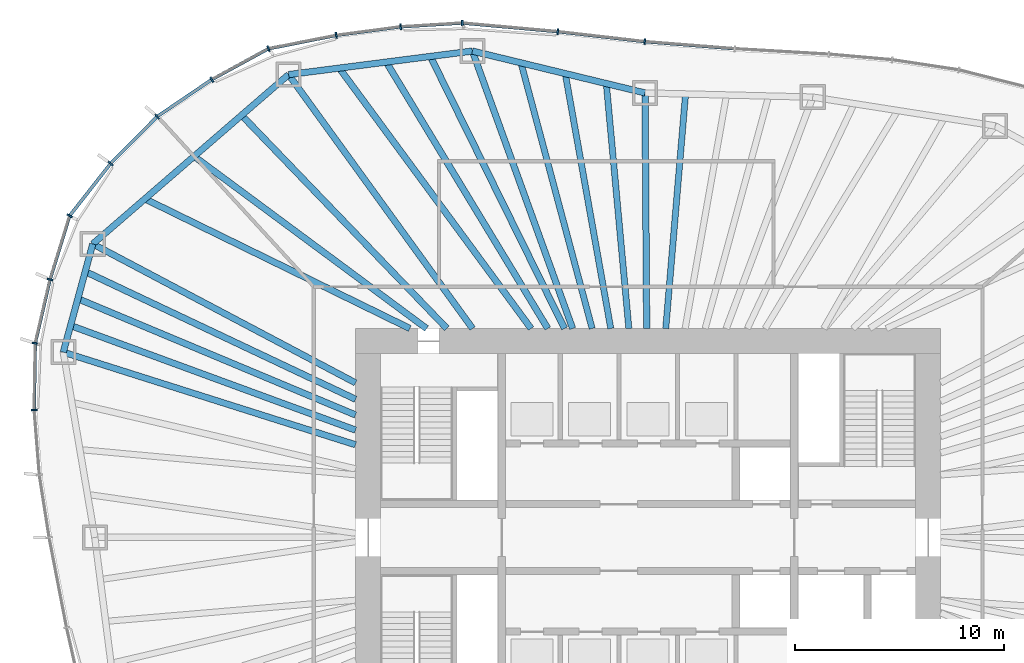
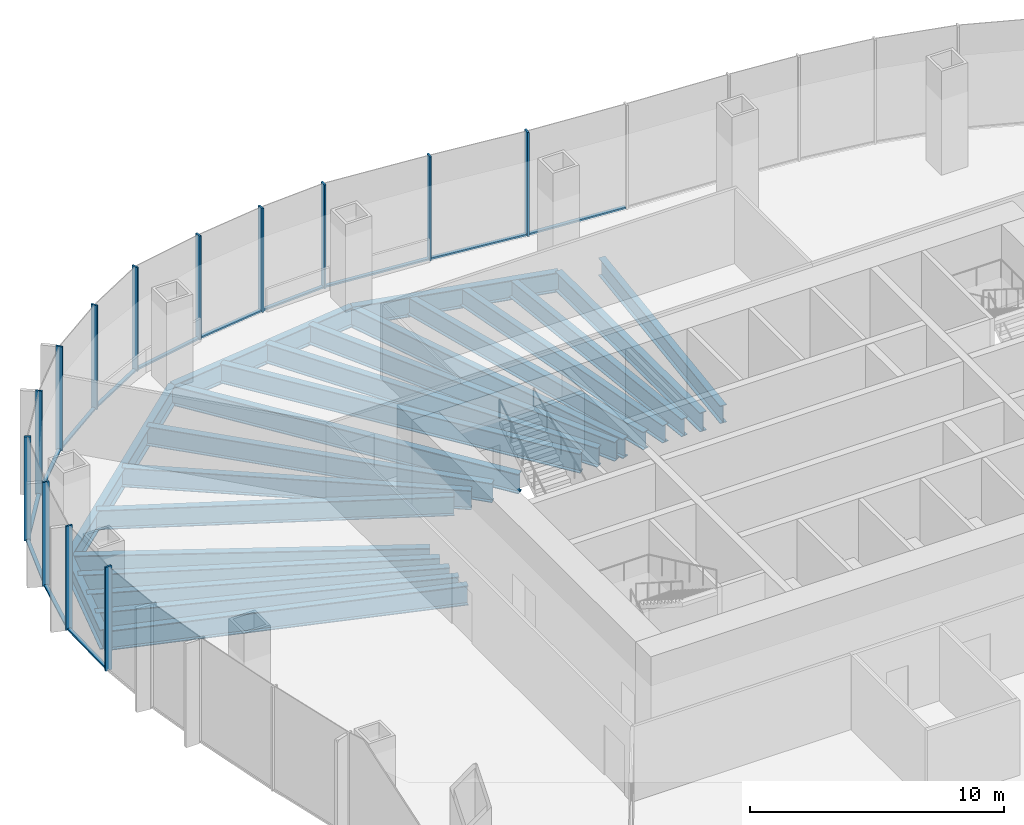
# One storey, part 5 of 18: 26 members, 22 beams, 6 elements without a shape of their own.
"""IFC4 building model written with IfcOpenShell, lengths in metres."""

from ifc_helpers import new_model, si_unit, direction, frame, origin, origin_2d, place, context, subcontext, project, spatial, rectangle, i_section, extrude, material, material_profile, profile_set, type_object, element, aggregate, save


model = new_model("IFC4")

# Units and contexts
model_context = context("Model", 3, precision=1e-05, world=origin(), true_north=direction((0.0, 1.0)))
body_context = subcontext(model_context, "Body", "Model", "MODEL_VIEW")
ifc_project = project(units=[si_unit("LENGTHUNIT", "METRE"), si_unit("AREAUNIT", "SQUARE_METRE"), si_unit("VOLUMEUNIT", "CUBIC_METRE"), si_unit("PLANEANGLEUNIT", "RADIAN"), si_unit("MASSUNIT", "GRAM", prefix="KILO")], contexts=[model_context])

# Site, building, storey
site_placement = place(None, origin())
site = spatial("IfcSite", under=ifc_project, at=site_placement, CompositionType="ELEMENT")
building_placement = place(site_placement, origin())
building = spatial("IfcBuilding", under=site, at=building_placement, Name="Ghaith Harvest Tower", CompositionType="ELEMENT")
storey_placement = place(building_placement, frame((0.0, 0.0, 184.800048828125)))
storey = spatial("IfcBuildingStorey", under=building, at=storey_placement, Name="L40", CompositionType="ELEMENT", Elevation=184.800048828125)

# Curtain wall, members
ifc_material_1 = material(Name="Black anodised aluminium and fritted glass", Category="aluminium")
curtain_wall_type = type_object("IfcCurtainWallType", Name="CW-S CURTAIN WALL", PredefinedType="NOTDEFINED", material=ifc_material_1)
curtain_wall_1_placement = place(storey_placement, origin())
curtain_wall_1 = element("IfcCurtainWall", 1, at=curtain_wall_1_placement, inside=storey, type_object=curtain_wall_type, Name="Curtain wall CW-S bay 06 L40", PredefinedType="NOTDEFINED")
ifc_material_2 = material(Name="Aluminium, black anodised", Category="aluminium")
ifc_material_profile_1 = material_profile(ifc_material_2, rectangle(XDim=0.080078125, YDim=0.280029296875, at=origin_2d()), Name="CW-S MULLION 80x280")
ifc_profile_set_1 = profile_set([ifc_material_profile_1], Name="Aluminium, black anodised")
member_type_1 = type_object("IfcMemberType", Name="CW-S MULLION 80x280", PredefinedType="MULLION", material=ifc_profile_set_1)
member_1_placement = place(storey_placement, frame((-0.162353515625, 23.729736328125, 0.0), z_axis=(0.0, 0.0, 1.0), x_axis=(-0.995388088953, 0.095929934691, 0.0)))
member_1 = element("IfcMember", 2, at=member_1_placement, type_object=member_type_1, Name="CW-S mullion 1 bay 06 L40", PredefinedType="MULLION", context=body_context, shape_type="SweptSolid", body=[
    extrude(rectangle(XDim=0.080078125, YDim=0.280029296875, at=origin_2d()), origin(), (0.0, 0.0, 1.0), 5.0),
])
member_2_placement = place(storey_placement, frame((-4.322998046875, 24.207275390625, 0.0), z_axis=(0.0, 0.0, 1.0), x_axis=(-0.994830371571, 0.101550636625, 0.0)))
member_2 = element("IfcMember", 3, at=member_2_placement, type_object=member_type_1, Name="CW-S mullion 2 bay 06 L40", PredefinedType="MULLION", context=body_context, shape_type="SweptSolid", body=[
    extrude(rectangle(XDim=0.080078125, YDim=0.280029296875, at=origin_2d()), origin(), (0.0, 0.0, 1.0), 5.0),
])

curtain_wall_2_placement = place(storey_placement, origin())
curtain_wall_2 = element("IfcCurtainWall", 4, at=curtain_wall_2_placement, inside=storey, type_object=curtain_wall_type, Name="Curtain wall CW-S bay 07 L40", PredefinedType="NOTDEFINED")
member_3_placement = place(storey_placement, frame((-8.892578125, 24.620849609375, 0.0), z_axis=(0.0, 0.0, 1.0), x_axis=(-0.999522209385, 0.030908784286, 0.0)))
member_3 = element("IfcMember", 5, at=member_3_placement, type_object=member_type_1, Name="CW-S mullion 1 bay 07 L40", PredefinedType="MULLION", context=body_context, shape_type="SweptSolid", body=[
    extrude(rectangle(XDim=0.080078125, YDim=0.280029296875, at=origin_2d()), origin(), (0.0, 0.0, 1.0), 5.0),
])
member_4_placement = place(storey_placement, frame((-11.841064453125, 24.439697265625, 0.0), z_axis=(0.0, 0.0, 1.0), x_axis=(-0.995237520168, -0.097479630949, 0.0)))
member_4 = element("IfcMember", 6, at=member_4_placement, type_object=member_type_1, Name="CW-S mullion 2 bay 07 L40", PredefinedType="MULLION", context=body_context, shape_type="SweptSolid", body=[
    extrude(rectangle(XDim=0.080078125, YDim=0.280029296875, at=origin_2d()), origin(), (0.0, 0.0, 1.0), 5.0),
])
member_5_placement = place(storey_placement, frame((-14.923828125, 24.030029296875, 0.0), z_axis=(0.0, 0.0, 1.0), x_axis=(-0.986494514812, -0.163794298578, 0.0)))
member_5 = element("IfcMember", 7, at=member_5_placement, type_object=member_type_1, Name="CW-S mullion 3 bay 07 L40", PredefinedType="MULLION", context=body_context, shape_type="SweptSolid", body=[
    extrude(rectangle(XDim=0.080078125, YDim=0.280029296875, at=origin_2d()), origin(), (0.0, 0.0, 1.0), 5.0),
])

curtain_wall_3_placement = place(storey_placement, origin())
curtain_wall_3 = element("IfcCurtainWall", 8, at=curtain_wall_3_placement, inside=storey, type_object=curtain_wall_type, Name="Curtain wall CW-S bay 08 L40", PredefinedType="NOTDEFINED")
member_6_placement = place(storey_placement, frame((-18.165283203125, 23.3896484375, 0.0), z_axis=(0.0, 0.0, 1.0), x_axis=(-0.942103541202, -0.335322110298, 0.0)))
member_6 = element("IfcMember", 9, at=member_6_placement, type_object=member_type_1, Name="CW-S mullion 1 bay 08 L40", PredefinedType="MULLION", context=body_context, shape_type="SweptSolid", body=[
    extrude(rectangle(XDim=0.080078125, YDim=0.280029296875, at=origin_2d()), origin(), (0.0, 0.0, 1.0), 5.0),
])
member_7_placement = place(storey_placement, frame((-20.87548828125, 21.91162109375, 0.0), z_axis=(0.0, 0.0, 1.0), x_axis=(-0.853515864435, -0.521066856707, 0.0)))
member_7 = element("IfcMember", 10, at=member_7_placement, type_object=member_type_1, Name="CW-S mullion 2 bay 08 L40", PredefinedType="MULLION", context=body_context, shape_type="SweptSolid", body=[
    extrude(rectangle(XDim=0.080078125, YDim=0.280029296875, at=origin_2d()), origin(), (0.0, 0.0, 1.0), 5.0),
])
member_8_placement = place(storey_placement, frame((-23.489501953125, 20.13916015625, 0.0), z_axis=(0.0, 0.0, 1.0), x_axis=(-0.769682554376, -0.638426789451, 0.0)))
member_8 = element("IfcMember", 11, at=member_8_placement, type_object=member_type_1, Name="CW-S mullion 3 bay 08 L40", PredefinedType="MULLION", context=body_context, shape_type="SweptSolid", body=[
    extrude(rectangle(XDim=0.080078125, YDim=0.280029296875, at=origin_2d()), origin(), (0.0, 0.0, 1.0), 5.0),
])

curtain_wall_4_placement = place(storey_placement, origin())
curtain_wall_4 = element("IfcCurtainWall", 12, at=curtain_wall_4_placement, inside=storey, type_object=curtain_wall_type, Name="Curtain wall CW-S bay 09 L40", PredefinedType="NOTDEFINED")
member_9_placement = place(storey_placement, frame((-25.718017578125, 17.894775390625, 0.0), z_axis=(0.0, 0.0, 1.0), x_axis=(-0.661903840688, -0.749588757708, 0.0)))
member_9 = element("IfcMember", 13, at=member_9_placement, type_object=member_type_1, Name="CW-S mullion 1 bay 09 L40", PredefinedType="MULLION", context=body_context, shape_type="SweptSolid", body=[
    extrude(rectangle(XDim=0.080078125, YDim=0.280029296875, at=origin_2d()), origin(), (0.0, 0.0, 1.0), 5.0),
])
member_10_placement = place(storey_placement, frame((-27.67919921875, 15.39453125, 0.0), z_axis=(0.0, 0.0, 1.0), x_axis=(-0.462889784298, -0.886415843491, 0.0)))
member_10 = element("IfcMember", 14, at=member_10_placement, type_object=member_type_1, Name="CW-S mullion 2 bay 09 L40", PredefinedType="MULLION", context=body_context, shape_type="SweptSolid", body=[
    extrude(rectangle(XDim=0.080078125, YDim=0.280029296875, at=origin_2d()), origin(), (0.0, 0.0, 1.0), 5.0),
])
member_11_placement = place(storey_placement, frame((-28.61669921875, 12.343994140625, 0.0), z_axis=(0.0, 0.0, 1.0), x_axis=(-0.260727312416, -0.965412486226, 0.0)))
member_11 = element("IfcMember", 15, at=member_11_placement, type_object=member_type_1, Name="CW-S mullion 3 bay 09 L40", PredefinedType="MULLION", context=body_context, shape_type="SweptSolid", body=[
    extrude(rectangle(XDim=0.080078125, YDim=0.280029296875, at=origin_2d()), origin(), (0.0, 0.0, 1.0), 5.0),
])

curtain_wall_5_placement = place(storey_placement, origin())
curtain_wall_5 = element("IfcCurtainWall", 16, at=curtain_wall_5_placement, inside=storey, type_object=curtain_wall_type, Name="Curtain wall CW-S bay 10 L40", PredefinedType="NOTDEFINED")
member_12_placement = place(storey_placement, frame((-29.32666015625, 9.294189453125, 0.0), z_axis=(0.0, 0.0, 1.0), x_axis=(-0.120932140225, -0.99266077663, 0.0)))
member_12 = element("IfcMember", 17, at=member_12_placement, type_object=member_type_1, Name="CW-S mullion 1 bay 10 L40", PredefinedType="MULLION", context=body_context, shape_type="SweptSolid", body=[
    extrude(rectangle(XDim=0.080078125, YDim=0.280029296875, at=origin_2d()), origin(), (0.0, 0.0, 1.0), 5.0),
])
member_13_placement = place(storey_placement, frame((-29.3779296875, 6.09619140625, 0.0), z_axis=(0.0, 0.0, 1.0), x_axis=(0.031027769448, -0.999518522851, 0.0)))
member_13 = element("IfcMember", 18, at=member_13_placement, type_object=member_type_1, Name="CW-S mullion 2 bay 10 L40", PredefinedType="MULLION", context=body_context, shape_type="SweptSolid", body=[
    extrude(rectangle(XDim=0.080078125, YDim=0.280029296875, at=origin_2d()), origin(), (0.0, 0.0, 1.0), 5.0),
])

# Curtain wall, member
curtain_wall_6_placement = place(storey_placement, origin())
curtain_wall_6 = element("IfcCurtainWall", 19, at=curtain_wall_6_placement, inside=storey, type_object=curtain_wall_type, Name="Curtain wall CW-S bay 05 L40", PredefinedType="NOTDEFINED")
ifc_material_3 = material(Name="Aluminium, black anodised", Category="aluminium")
ifc_material_profile_2 = material_profile(ifc_material_3, rectangle(XDim=0.159912109375, YDim=0.080078125, at=origin_2d()), Name="CW-S TRANSOM 160x80")
ifc_profile_set_2 = profile_set([ifc_material_profile_2], Name="Aluminium, black anodised")
member_type_2 = type_object("IfcMemberType", Name="CW-S TRANSOM 160x80", PredefinedType="USERDEFINED", material=ifc_profile_set_2)
member_14_placement = place(storey_placement, frame((4.106689453125, 23.39404296875, 0.0400390625), z_axis=(-0.996923406046, 0.078381901463, 0.0), x_axis=(-0.078381901463, -0.996923406046, 0.0)))
member_14 = element("IfcMember", 20, at=member_14_placement, type_object=member_type_2, Name="CW-S transom 2 bay 05 L40", ObjectType="TRANSOM", PredefinedType="USERDEFINED", context=body_context, shape_type="SweptSolid", body=[
    extrude(rectangle(XDim=0.159912109375, YDim=0.080078125, at=origin_2d()), origin(), (0.0, 0.0, 1.0), 4.2421875),
])
aggregate(curtain_wall_6, [member_14])

# Member
member_15_placement = place(storey_placement, frame((-0.2021484375, 23.734130859375, 0.0400390625), z_axis=(-0.993474883942, 0.114051106861, 0.0), x_axis=(-0.114051106861, -0.993474883942, 0.0)))
member_15 = element("IfcMember", 21, at=member_15_placement, type_object=member_type_2, Name="CW-S transom 1 bay 06 L40", ObjectType="TRANSOM", PredefinedType="USERDEFINED", context=body_context, shape_type="SweptSolid", body=[
    extrude(rectangle(XDim=0.159912109375, YDim=0.080078125, at=origin_2d()), origin(), (0.0, 0.0, 1.0), 4.10791015625),
])

member_16_placement = place(storey_placement, frame((-4.36279296875, 24.210693359375, 0.0400390625), z_axis=(-0.995926431676, 0.090169521954, 0.0), x_axis=(-0.090169521954, -0.995926431676, 0.0)))
member_16 = element("IfcMember", 22, at=member_16_placement, type_object=member_type_2, Name="CW-S transom 2 bay 06 L40", ObjectType="TRANSOM", PredefinedType="USERDEFINED", context=body_context, shape_type="SweptSolid", body=[
    extrude(rectangle(XDim=0.159912109375, YDim=0.080078125, at=origin_2d()), origin(), (0.0, 0.0, 1.0), 4.508056640625),
])

aggregate(curtain_wall_1, [member_1, member_15, member_2, member_16])

member_17_placement = place(storey_placement, frame((-8.932373046875, 24.618408203125, 0.0400390625), z_axis=(-0.998117793577, -0.061325933705, 0.0), x_axis=(0.061325933705, -0.998117793577, 0.0)))
member_17 = element("IfcMember", 23, at=member_17_placement, type_object=member_type_2, Name="CW-S transom 1 bay 07 L40", ObjectType="TRANSOM", PredefinedType="USERDEFINED", context=body_context, shape_type="SweptSolid", body=[
    extrude(rectangle(XDim=0.159912109375, YDim=0.080078125, at=origin_2d()), origin(), (0.0, 0.0, 1.0), 2.874267578125),
])

member_18_placement = place(storey_placement, frame((-11.880859375, 24.434326171875, 0.0400390625), z_axis=(-0.991293929443, -0.131667556553, 0.0), x_axis=(0.131667556553, -0.991293929443, 0.0)))
member_18 = element("IfcMember", 24, at=member_18_placement, type_object=member_type_2, Name="CW-S transom 2 bay 07 L40", ObjectType="TRANSOM", PredefinedType="USERDEFINED", context=body_context, shape_type="SweptSolid", body=[
    extrude(rectangle(XDim=0.159912109375, YDim=0.080078125, at=origin_2d()), origin(), (0.0, 0.0, 1.0), 3.02978515625),
])

member_19_placement = place(storey_placement, frame((-14.963134765625, 24.022216796875, 0.0400390625), z_axis=(-0.98104391994, -0.19378551842, 0.0), x_axis=(0.19378551842, -0.98104391994, 0.0)))
member_19 = element("IfcMember", 25, at=member_19_placement, type_object=member_type_2, Name="CW-S transom 3 bay 07 L40", ObjectType="TRANSOM", PredefinedType="USERDEFINED", context=body_context, shape_type="SweptSolid", body=[
    extrude(rectangle(XDim=0.159912109375, YDim=0.080078125, at=origin_2d()), origin(), (0.0, 0.0, 1.0), 3.223876953125),
])

aggregate(curtain_wall_2, [member_3, member_17, member_4, member_18, member_5, member_19])

member_20_placement = place(storey_placement, frame((-18.200439453125, 23.37060546875, 0.0400390625), z_axis=(-0.877929702377, -0.478789554695, 0.0), x_axis=(0.478789554695, -0.877929702377, 0.0)))
member_20 = element("IfcMember", 26, at=member_20_placement, type_object=member_type_2, Name="CW-S transom 1 bay 08 L40", ObjectType="TRANSOM", PredefinedType="USERDEFINED", context=body_context, shape_type="SweptSolid", body=[
    extrude(rectangle(XDim=0.159912109375, YDim=0.080078125, at=origin_2d()), origin(), (0.0, 0.0, 1.0), 3.0068359375),
])

member_21_placement = place(storey_placement, frame((-20.908447265625, 21.88916015625, 0.0400390625), z_axis=(-0.827681025079, -0.561198824593, 0.0), x_axis=(0.561198824593, -0.827681025079, 0.0)))
member_21 = element("IfcMember", 27, at=member_21_placement, type_object=member_type_2, Name="CW-S transom 2 bay 08 L40", ObjectType="TRANSOM", PredefinedType="USERDEFINED", context=body_context, shape_type="SweptSolid", body=[
    extrude(rectangle(XDim=0.159912109375, YDim=0.080078125, at=origin_2d()), origin(), (0.0, 0.0, 1.0), 3.078369140625),
])

member_22_placement = place(storey_placement, frame((-23.517578125, 20.11083984375, 0.0400390625), z_axis=(-0.704647577514, -0.709557461735, 0.0), x_axis=(0.709557461735, -0.704647577514, 0.0)))
member_22 = element("IfcMember", 28, at=member_22_placement, type_object=member_type_2, Name="CW-S transom 3 bay 08 L40", ObjectType="TRANSOM", PredefinedType="USERDEFINED", context=body_context, shape_type="SweptSolid", body=[
    extrude(rectangle(XDim=0.159912109375, YDim=0.080078125, at=origin_2d()), origin(), (0.0, 0.0, 1.0), 3.0830078125),
])

aggregate(curtain_wall_3, [member_6, member_20, member_7, member_21, member_8, member_22])

member_23_placement = place(storey_placement, frame((-25.74267578125, 17.86328125, 0.0400390625), z_axis=(-0.617198298797, -0.786807638474, 0.0), x_axis=(0.786807638474, -0.617198298797, 0.0)))
member_23 = element("IfcMember", 29, at=member_23_placement, type_object=member_type_2, Name="CW-S transom 1 bay 09 L40", ObjectType="TRANSOM", PredefinedType="USERDEFINED", context=body_context, shape_type="SweptSolid", body=[
    extrude(rectangle(XDim=0.159912109375, YDim=0.080078125, at=origin_2d()), origin(), (0.0, 0.0, 1.0), 3.09765625),
])

member_24_placement = place(storey_placement, frame((-27.69091796875, 15.356201171875, 0.0400390625), z_axis=(-0.293777058804, -0.955873966441, 0.0), x_axis=(0.955873966441, -0.293777058804, 0.0)))
member_24 = element("IfcMember", 30, at=member_24_placement, type_object=member_type_2, Name="CW-S transom 2 bay 09 L40", ObjectType="TRANSOM", PredefinedType="USERDEFINED", context=body_context, shape_type="SweptSolid", body=[
    extrude(rectangle(XDim=0.159912109375, YDim=0.080078125, at=origin_2d()), origin(), (0.0, 0.0, 1.0), 3.111328125),
])

member_25_placement = place(storey_placement, frame((-28.6259765625, 12.304931640625, 0.0400390625), z_axis=(-0.226670598607, -0.973971477882, 0.0), x_axis=(0.973971477882, -0.226670598607, 0.0)))
member_25 = element("IfcMember", 31, at=member_25_placement, type_object=member_type_2, Name="CW-S transom 3 bay 09 L40", ObjectType="TRANSOM", PredefinedType="USERDEFINED", context=body_context, shape_type="SweptSolid", body=[
    extrude(rectangle(XDim=0.159912109375, YDim=0.080078125, at=origin_2d()), origin(), (0.0, 0.0, 1.0), 3.05126953125),
])

aggregate(curtain_wall_4, [member_9, member_23, member_10, member_24, member_11, member_25])

member_26_placement = place(storey_placement, frame((-29.327392578125, 9.254150390625, 0.0400390625), z_axis=(-0.015971652868, -0.999872445017, 0.0), x_axis=(0.999872445017, -0.015971652868, 0.0)))
member_26 = element("IfcMember", 32, at=member_26_placement, type_object=member_type_2, Name="CW-S transom 1 bay 10 L40", ObjectType="TRANSOM", PredefinedType="USERDEFINED", context=body_context, shape_type="SweptSolid", body=[
    extrude(rectangle(XDim=0.159912109375, YDim=0.080078125, at=origin_2d()), origin(), (0.0, 0.0, 1.0), 3.118408203125),
])

aggregate(curtain_wall_5, [member_12, member_26, member_13])

# Beams
ifc_material_4 = material(Name="Steel ASTM A992 Grade 50", Category="steel")
ifc_material_profile_3 = material_profile(ifc_material_4, i_section(OverallWidth=0.306884765625, OverallDepth=0.94189453125, WebThickness=0.022216796875, FlangeThickness=0.039794921875, at=origin_2d()), Name="W920X345")
ifc_profile_set_3 = profile_set([ifc_material_profile_3], Name="Steel ASTM A992 Grade 50")
beam_type_1 = type_object("IfcBeamType", Name="E920-345 W920X345", PredefinedType="SPANDREL", material=ifc_profile_set_3)
beam_1_placement = place(storey_placement, frame((-0.14599609375, 21.27099609375, -0.696044921875), z_axis=(-0.971790293477, 0.235846614358, 0.0), x_axis=(-0.235846614358, -0.971790293477, 0.0)))
element("IfcBeam", 33, at=beam_1_placement, inside=storey, type_object=beam_type_1, Name="Edge beam E06 L40", PredefinedType="SPANDREL", context=body_context, shape_type="SweptSolid", body=[
    extrude(i_section(OverallWidth=0.306884765625, OverallDepth=0.94189453125, WebThickness=0.022216796875, FlangeThickness=0.039794921875, at=origin_2d()), origin(), (0.0, 0.0, 1.0), 8.500732421875),
])
beam_2_placement = place(storey_placement, frame((-8.406982421875, 23.27587890625, -0.696044921875), z_axis=(-0.991904090065, -0.126989275577, 0.0), x_axis=(0.126989275577, -0.991904090065, 0.0)))
element("IfcBeam", 34, at=beam_2_placement, inside=storey, type_object=beam_type_1, Name="Edge beam E07 L40", PredefinedType="SPANDREL", context=body_context, shape_type="SweptSolid", body=[
    extrude(i_section(OverallWidth=0.306884765625, OverallDepth=0.94189453125, WebThickness=0.022216796875, FlangeThickness=0.039794921875, at=origin_2d()), origin(), (0.0, 0.0, 1.0), 8.86669921875),
])
beam_3_placement = place(storey_placement, frame((-17.201904296875, 22.14990234375, -0.696044921875), z_axis=(-0.756392158274, -0.654118416574, 0.0), x_axis=(0.654118416574, -0.756392158274, 0.0)))
element("IfcBeam", 35, at=beam_3_placement, inside=storey, type_object=beam_type_1, Name="Edge beam E08 L40", PredefinedType="SPANDREL", context=body_context, shape_type="SweptSolid", body=[
    extrude(i_section(OverallWidth=0.306884765625, OverallDepth=0.94189453125, WebThickness=0.022216796875, FlangeThickness=0.039794921875, at=origin_2d()), origin(), (0.0, 0.0, 1.0), 12.38916015625),
])
beam_4_placement = place(storey_placement, frame((-26.572998046875, 14.0458984375, -0.696044921875), z_axis=(-0.262724740433, -0.964870825947, 0.0), x_axis=(0.964870825947, -0.262724740433, 0.0)))
element("IfcBeam", 36, at=beam_4_placement, inside=storey, type_object=beam_type_1, Name="Edge beam E09 L40", PredefinedType="SPANDREL", context=body_context, shape_type="SweptSolid", body=[
    extrude(i_section(OverallWidth=0.306884765625, OverallDepth=0.94189453125, WebThickness=0.022216796875, FlangeThickness=0.039794921875, at=origin_2d()), origin(), (0.0, 0.0, 1.0), 5.366455078125),
])
ifc_material_5 = material(Name="Steel ASTM A992 Grade 50", Category="steel")
ifc_material_profile_4 = material_profile(ifc_material_5, i_section(OverallWidth=0.31005859375, OverallDepth=0.927001953125, WebThickness=0.019287109375, FlangeThickness=0.031982421875, at=origin_2d()), Name="W920X289")
ifc_profile_set_4 = profile_set([ifc_material_profile_4], Name="Steel ASTM A992 Grade 50")
beam_type_2 = type_object("IfcBeamType", Name="G920-289 W920X289", PredefinedType="BEAM", material=ifc_profile_set_4)
beam_5_placement = place(storey_placement, frame((-0.068359375, 10.0, -0.6884765625), z_axis=(-0.006888022705, 0.99997627729, 0.0), x_axis=(-0.99997627729, -0.006888022705, 0.0)))
element("IfcBeam", 37, at=beam_5_placement, inside=storey, type_object=beam_type_2, Name="Radial girder G06 L40", PredefinedType="BEAM", context=body_context, shape_type="SweptSolid", body=[
    extrude(i_section(OverallWidth=0.31005859375, OverallDepth=0.927001953125, WebThickness=0.019287109375, FlangeThickness=0.031982421875, at=origin_2d()), origin(), (0.0, 0.0, 1.0), 11.271240234375),
])
ifc_material_6 = material(Name="Steel ASTM A992 Grade 50", Category="steel")
ifc_material_profile_5 = material_profile(ifc_material_6, i_section(OverallWidth=0.306884765625, OverallDepth=0.94189453125, WebThickness=0.022216796875, FlangeThickness=0.039794921875, at=origin_2d()), Name="W920X345")
ifc_profile_set_5 = profile_set([ifc_material_profile_5], Name="Steel ASTM A992 Grade 50")
beam_type_3 = type_object("IfcBeamType", Name="G920-345 W920X345", PredefinedType="BEAM", material=ifc_profile_set_5)
beam_6_placement = place(storey_placement, frame((-3.61181640625, 10.0, -0.696044921875), z_axis=(-0.339713316819, 0.940529033245, 0.0), x_axis=(-0.940529033245, -0.339713316819, 0.0)))
element("IfcBeam", 38, at=beam_6_placement, inside=storey, type_object=beam_type_3, Name="Radial girder G07 L40", PredefinedType="BEAM", context=body_context, shape_type="SweptSolid", body=[
    extrude(i_section(OverallWidth=0.306884765625, OverallDepth=0.94189453125, WebThickness=0.022216796875, FlangeThickness=0.039794921875, at=origin_2d()), origin(), (0.0, 0.0, 1.0), 14.115234375),
])
beam_7_placement = place(storey_placement, frame((-8.39990234375, 10.0, -0.696044921875), z_axis=(-0.586675813287, 0.809821887889, 0.0), x_axis=(-0.809821887889, -0.586675813287, 0.0)))
element("IfcBeam", 39, at=beam_7_placement, inside=storey, type_object=beam_type_3, Name="Radial girder G08 L40", PredefinedType="BEAM", context=body_context, shape_type="SweptSolid", body=[
    extrude(i_section(OverallWidth=0.306884765625, OverallDepth=0.94189453125, WebThickness=0.022216796875, FlangeThickness=0.039794921875, at=origin_2d()), origin(), (0.0, 0.0, 1.0), 15.003173828125),
])
beam_8_placement = place(storey_placement, frame((-14.0, 7.39990234375, -0.696044921875), z_axis=(-0.88408713845, 0.467322085533, 0.0), x_axis=(-0.467322085533, -0.88408713845, 0.0)))
element("IfcBeam", 40, at=beam_8_placement, inside=storey, type_object=beam_type_3, Name="Radial girder G09 L40", PredefinedType="BEAM", context=body_context, shape_type="SweptSolid", body=[
    extrude(i_section(OverallWidth=0.306884765625, OverallDepth=0.94189453125, WebThickness=0.022216796875, FlangeThickness=0.039794921875, at=origin_2d()), origin(), (0.0, 0.0, 1.0), 14.221435546875),
])
beam_9_placement = place(storey_placement, frame((-14.0, 4.43701171875, -0.696044921875), z_axis=(-0.953283605796, 0.302076756671, 0.0), x_axis=(-0.302076756671, -0.953283605796, 0.0)))
element("IfcBeam", 41, at=beam_9_placement, inside=storey, type_object=beam_type_3, Name="Radial girder G10 L40", PredefinedType="BEAM", context=body_context, shape_type="SweptSolid", body=[
    extrude(i_section(OverallWidth=0.306884765625, OverallDepth=0.94189453125, WebThickness=0.022216796875, FlangeThickness=0.039794921875, at=origin_2d()), origin(), (0.0, 0.0, 1.0), 14.668212890625),
])
ifc_material_7 = material(Name="Steel ASTM A992 Grade 50", Category="steel")
ifc_material_profile_6 = material_profile(ifc_material_7, i_section(OverallWidth=0.2939453125, OverallDepth=0.85107421875, WebThickness=0.01611328125, FlangeThickness=0.02685546875, at=origin_2d()), Name="W840X226")
ifc_profile_set_6 = profile_set([ifc_material_profile_6], Name="Steel ASTM A992 Grade 50")
beam_type_4 = type_object("IfcBeamType", Name="J840-226 W840X226", PredefinedType="JOIST", material=ifc_profile_set_6)
beam_10_placement = place(storey_placement, frame((0.844970703125, 10.0, -0.650634765625), z_axis=(0.084213263804, 0.996447753873, 0.0), x_axis=(-0.996447753873, 0.084213263804, 0.0)))
element("IfcBeam", 42, at=beam_10_placement, inside=storey, type_object=beam_type_4, Name="Joist J05.3 L40", PredefinedType="JOIST", context=body_context, shape_type="SweptSolid", body=[
    extrude(i_section(OverallWidth=0.2939453125, OverallDepth=0.85107421875, WebThickness=0.01611328125, FlangeThickness=0.02685546875, at=origin_2d()), origin(), (0.0, 0.0, 1.0), 11.262939453125),
])
beam_11_placement = place(storey_placement, frame((-0.92041015625, 10.0, -0.650634765625), z_axis=(-0.091659676302, 0.995790391468, 0.0), x_axis=(-0.995790391468, -0.091659676302, 0.0)))
element("IfcBeam", 43, at=beam_11_placement, inside=storey, type_object=beam_type_4, Name="Joist J06.1 L40", PredefinedType="JOIST", context=body_context, shape_type="SweptSolid", body=[
    extrude(i_section(OverallWidth=0.2939453125, OverallDepth=0.85107421875, WebThickness=0.01611328125, FlangeThickness=0.02685546875, at=origin_2d()), origin(), (0.0, 0.0, 1.0), 11.770263671875),
])
beam_12_placement = place(storey_placement, frame((-1.785888671875, 10.0, -0.650634765625), z_axis=(-0.175794730188, 0.984426844838, 0.0), x_axis=(-0.984426844838, -0.175794730188, 0.0)))
element("IfcBeam", 44, at=beam_12_placement, inside=storey, type_object=beam_type_4, Name="Joist J06.2 L40", PredefinedType="JOIST", context=body_context, shape_type="SweptSolid", body=[
    extrude(i_section(OverallWidth=0.2939453125, OverallDepth=0.85107421875, WebThickness=0.01611328125, FlangeThickness=0.02685546875, at=origin_2d()), origin(), (0.0, 0.0, 1.0), 12.390625),
])
beam_13_placement = place(storey_placement, frame((-2.677978515625, 10.0, -0.650634765625), z_axis=(-0.258692500157, 0.965959725021, 0.0), x_axis=(-0.965959725021, -0.258692500157, 0.0)))
element("IfcBeam", 45, at=beam_13_placement, inside=storey, type_object=beam_type_4, Name="Joist J06.3 L40", PredefinedType="JOIST", context=body_context, shape_type="SweptSolid", body=[
    extrude(i_section(OverallWidth=0.2939453125, OverallDepth=0.85107421875, WebThickness=0.01611328125, FlangeThickness=0.02685546875, at=origin_2d()), origin(), (0.0, 0.0, 1.0), 13.15966796875),
])
ifc_material_8 = material(Name="Steel ASTM A992 Grade 50", Category="steel")
ifc_material_profile_7 = material_profile(ifc_material_8, i_section(OverallWidth=0.31005859375, OverallDepth=0.927001953125, WebThickness=0.019287109375, FlangeThickness=0.031982421875, at=origin_2d()), Name="W920X289")
ifc_profile_set_7 = profile_set([ifc_material_profile_7], Name="Steel ASTM A992 Grade 50")
beam_type_5 = type_object("IfcBeamType", Name="J920-289 W920X289", PredefinedType="JOIST", material=ifc_profile_set_7)
beam_14_placement = place(storey_placement, frame((-4.0, 10.0, -0.6884765625), z_axis=(-0.442214455448, 0.896909346251, 0.0), x_axis=(-0.896909346251, -0.442214455448, 0.0)))
element("IfcBeam", 46, at=beam_14_placement, inside=storey, type_object=beam_type_5, Name="Joist J07.1 L40", PredefinedType="JOIST", context=body_context, shape_type="SweptSolid", body=[
    extrude(i_section(OverallWidth=0.31005859375, OverallDepth=0.927001953125, WebThickness=0.019287109375, FlangeThickness=0.031982421875, at=origin_2d()), origin(), (0.0, 0.0, 1.0), 14.514892578125),
])
beam_15_placement = place(storey_placement, frame((-4.800048828125, 10.0, -0.6884765625), z_axis=(-0.51847337083, 0.855093774822, 0.0), x_axis=(-0.855093774822, -0.51847337083, 0.0)))
element("IfcBeam", 47, at=beam_15_placement, inside=storey, type_object=beam_type_5, Name="Joist J07.2 L40", PredefinedType="JOIST", context=body_context, shape_type="SweptSolid", body=[
    extrude(i_section(OverallWidth=0.31005859375, OverallDepth=0.927001953125, WebThickness=0.019287109375, FlangeThickness=0.031982421875, at=origin_2d()), origin(), (0.0, 0.0, 1.0), 14.90869140625),
])
beam_16_placement = place(storey_placement, frame((-5.60009765625, 10.0, -0.6884765625), z_axis=(-0.592984827174, 0.805213632983, 0.0), x_axis=(-0.805213632983, -0.592984827174, 0.0)))
element("IfcBeam", 48, at=beam_16_placement, inside=storey, type_object=beam_type_5, Name="Joist J07.3 L40", PredefinedType="JOIST", context=body_context, shape_type="SweptSolid", body=[
    extrude(i_section(OverallWidth=0.31005859375, OverallDepth=0.927001953125, WebThickness=0.019287109375, FlangeThickness=0.031982421875, at=origin_2d()), origin(), (0.0, 0.0, 1.0), 15.474609375),
])
beam_17_placement = place(storey_placement, frame((-9.626708984375, 10.0, -0.6884765625), z_axis=(-0.693535693616, 0.720422266231, 0.0), x_axis=(-0.720422266231, -0.693535693616, 0.0)))
element("IfcBeam", 49, at=beam_17_placement, inside=storey, type_object=beam_type_5, Name="Joist J08.1 L40", PredefinedType="JOIST", context=body_context, shape_type="SweptSolid", body=[
    extrude(i_section(OverallWidth=0.31005859375, OverallDepth=0.927001953125, WebThickness=0.019287109375, FlangeThickness=0.031982421875, at=origin_2d()), origin(), (0.0, 0.0, 1.0), 14.16552734375),
])
beam_18_placement = place(storey_placement, frame((-10.60009765625, 10.0, -0.6884765625), z_axis=(-0.803663089107, 0.595084564752, 0.0), x_axis=(-0.595084564752, -0.803663089107, 0.0)))
element("IfcBeam", 50, at=beam_18_placement, inside=storey, type_object=beam_type_5, Name="Joist J08.2 L40", PredefinedType="JOIST", context=body_context, shape_type="SweptSolid", body=[
    extrude(i_section(OverallWidth=0.31005859375, OverallDepth=0.927001953125, WebThickness=0.019287109375, FlangeThickness=0.031982421875, at=origin_2d()), origin(), (0.0, 0.0, 1.0), 13.843505859375),
])
beam_19_placement = place(storey_placement, frame((-11.39990234375, 10.0, -0.6884765625), z_axis=(-0.898274832354, 0.439434096946, 0.0), x_axis=(-0.439434096946, -0.898274832354, 0.0)))
element("IfcBeam", 51, at=beam_19_placement, inside=storey, type_object=beam_type_5, Name="Joist J08.3 L40", PredefinedType="JOIST", context=body_context, shape_type="SweptSolid", body=[
    extrude(i_section(OverallWidth=0.31005859375, OverallDepth=0.927001953125, WebThickness=0.019287109375, FlangeThickness=0.031982421875, at=origin_2d()), origin(), (0.0, 0.0, 1.0), 14.114990234375),
])
beam_20_placement = place(storey_placement, frame((-14.0, 6.614990234375, -0.6884765625), z_axis=(-0.904153428261, 0.427207886354, 0.0), x_axis=(-0.427207886354, -0.904153428261, 0.0)))
element("IfcBeam", 52, at=beam_20_placement, inside=storey, type_object=beam_type_5, Name="Joist J09.1 L40", PredefinedType="JOIST", context=body_context, shape_type="SweptSolid", body=[
    extrude(i_section(OverallWidth=0.31005859375, OverallDepth=0.927001953125, WebThickness=0.019287109375, FlangeThickness=0.031982421875, at=origin_2d()), origin(), (0.0, 0.0, 1.0), 14.303466796875),
])
beam_21_placement = place(storey_placement, frame((-14.0, 5.862548828125, -0.6884765625), z_axis=(-0.922385943167, 0.38626955853, 0.0), x_axis=(-0.38626955853, -0.922385943167, 0.0)))
element("IfcBeam", 53, at=beam_21_placement, inside=storey, type_object=beam_type_5, Name="Joist J09.2 L40", PredefinedType="JOIST", context=body_context, shape_type="SweptSolid", body=[
    extrude(i_section(OverallWidth=0.31005859375, OverallDepth=0.927001953125, WebThickness=0.019287109375, FlangeThickness=0.031982421875, at=origin_2d()), origin(), (0.0, 0.0, 1.0), 14.404296875),
])
beam_22_placement = place(storey_placement, frame((-14.0, 5.137939453125, -0.6884765625), z_axis=(-0.93877541132, 0.344529718748, 0.0), x_axis=(-0.344529718748, -0.93877541132, 0.0)))
element("IfcBeam", 54, at=beam_22_placement, inside=storey, type_object=beam_type_5, Name="Joist J09.3 L40", PredefinedType="JOIST", context=body_context, shape_type="SweptSolid", body=[
    extrude(i_section(OverallWidth=0.31005859375, OverallDepth=0.927001953125, WebThickness=0.019287109375, FlangeThickness=0.031982421875, at=origin_2d()), origin(), (0.0, 0.0, 1.0), 14.525390625),
])

save(model, "model.ifc")
